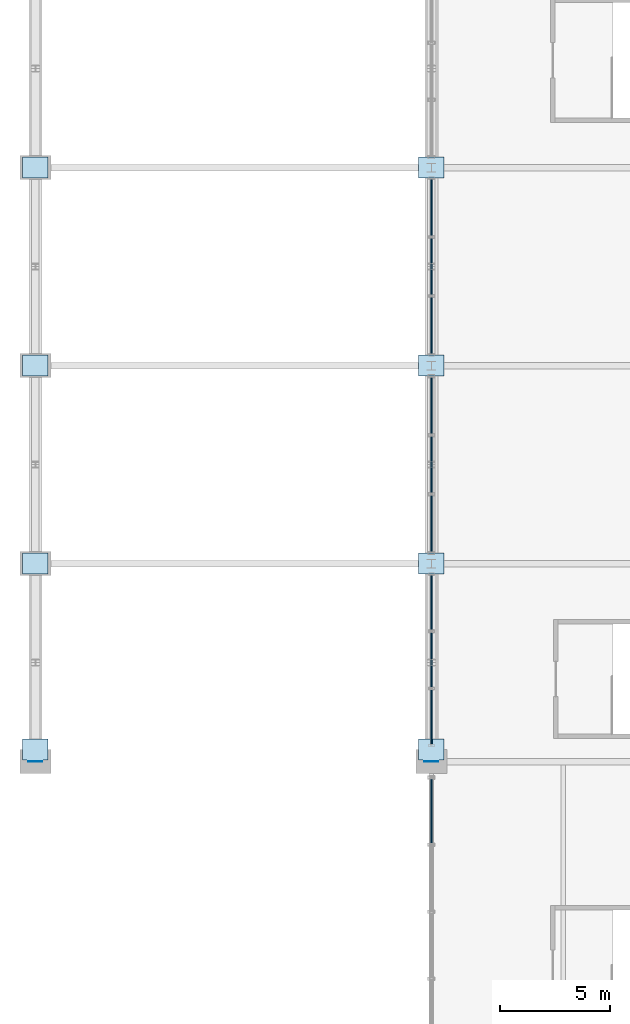
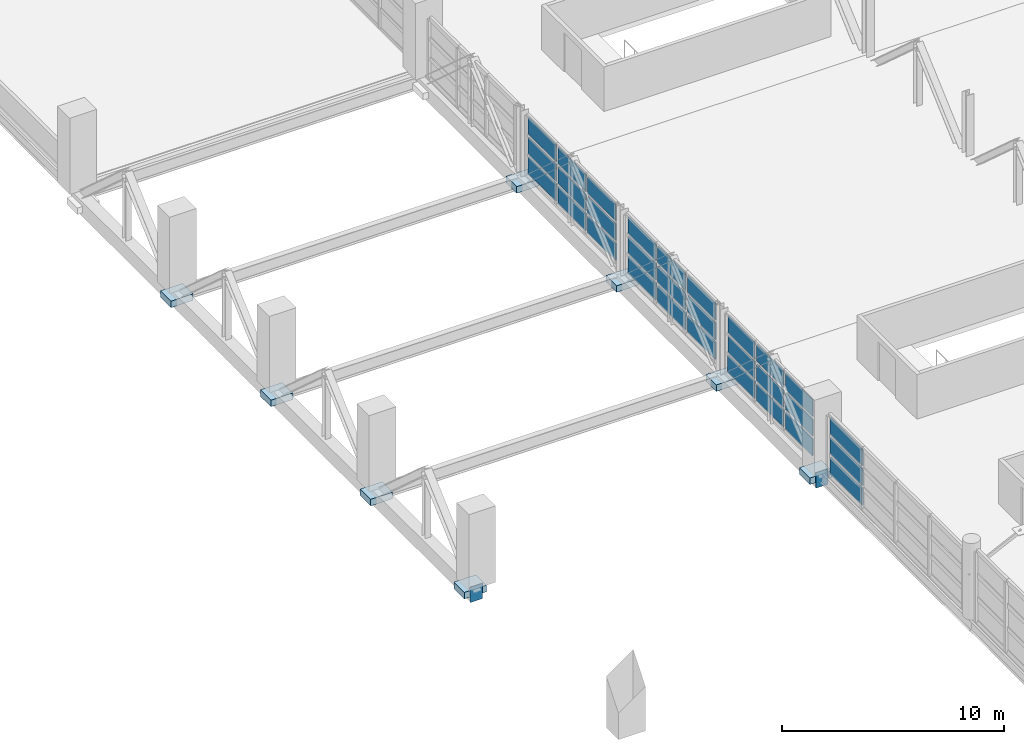
# One storey, part 101 of 136: 40 plates, 4 elements without a shape of their own.
"""IFC4 building model written with IfcOpenShell, lengths in metres."""

from ifc_helpers import new_model, si_unit, direction, frame, origin, origin_2d, place, context, subcontext, project, spatial, rectangle, extrude, material, layer, layer_set, type_object, element, aggregate, save


model = new_model("IFC4")

# Units and contexts
model_context = context("Model", 3, precision=1e-05, world=origin(), true_north=direction((0.0, 1.0)))
body_context = subcontext(model_context, "Body", "Model", "MODEL_VIEW")
ifc_project = project(units=[si_unit("LENGTHUNIT", "METRE"), si_unit("AREAUNIT", "SQUARE_METRE"), si_unit("VOLUMEUNIT", "CUBIC_METRE"), si_unit("PLANEANGLEUNIT", "RADIAN"), si_unit("MASSUNIT", "GRAM", prefix="KILO")], contexts=[model_context])

# Site, building, storey
site_placement = place(None, origin())
site = spatial("IfcSite", under=ifc_project, at=site_placement, CompositionType="ELEMENT")
building_placement = place(site_placement, origin())
building = spatial("IfcBuilding", under=site, at=building_placement, Name="Chuanluo Vaults Station", CompositionType="ELEMENT")
storey_placement = place(building_placement, frame((0.0, 0.0, 6.60009765625)))
storey = spatial("IfcBuildingStorey", under=building, at=storey_placement, Name="L01", CompositionType="ELEMENT", Elevation=6.60009765625)

# Curtain wall, plate
ifc_material_1 = material(Name="Anodised aluminium 6063-T6", Category="aluminium")
curtain_wall_type_1 = type_object("IfcCurtainWallType", Name="CW-SYS-21", PredefinedType="NOTDEFINED", material=ifc_material_1)
curtain_wall_1_placement = place(storey_placement, origin())
curtain_wall_1 = element("IfcCurtainWall", 1, at=curtain_wall_1_placement, inside=storey, type_object=curtain_wall_type_1, Name="Over-track west hall CW 54", PredefinedType="NOTDEFINED")
ifc_material_2 = material(Name="Ceramic-fritted spandrel glass", Category="glass")
ifc_layer_1 = layer(ifc_material_2, 0.06396484375)
ifc_layer_set_1 = layer_set([ifc_layer_1], Name="Ceramic-fritted spandrel glass")
plate_type_1 = type_object("IfcPlateType", Name="CWP-SPN-42", PredefinedType="SHEET", material=ifc_layer_set_1)
plate_1_placement = place(storey_placement, frame((18.0, 65.25, 0.079833984375), z_axis=(0.0, 0.0, 1.0), x_axis=(0.0, 1.0, 0.0)))
plate_1 = element("IfcPlate", 2, at=plate_1_placement, type_object=plate_type_1, Name="Over-track west hall CW 54 glazed panel 4.1", PredefinedType="SHEET", context=body_context, shape_type="SweptSolid", body=[
    extrude(rectangle(XDim=2.889892578125, YDim=0.06396484375, at=origin_2d()), origin(), (0.0, 0.0, 1.0), 0.92333984375),
])

# Curtain wall, plates
ifc_material_3 = material(Name="Anodised aluminium 6063-T6", Category="aluminium")
curtain_wall_type_2 = type_object("IfcCurtainWallType", Name="CW-SYS-23", PredefinedType="NOTDEFINED", material=ifc_material_3)
curtain_wall_2_placement = place(storey_placement, origin())
curtain_wall_2 = element("IfcCurtainWall", 3, at=curtain_wall_2_placement, inside=storey, type_object=curtain_wall_type_2, Name="Over-track west hall CW 67", PredefinedType="NOTDEFINED")
plate_2_placement = place(storey_placement, frame((18.0, 69.52490234375, 0.079833984375), z_axis=(0.0, 0.0, 1.0), x_axis=(0.0, 1.0, 0.0)))
plate_2 = element("IfcPlate", 4, at=plate_2_placement, type_object=plate_type_1, Name="Over-track west hall CW 67 glazed panel 1.1", PredefinedType="SHEET", context=body_context, shape_type="SweptSolid", body=[
    extrude(rectangle(XDim=2.43994140625, YDim=0.06396484375, at=origin_2d()), origin(), (0.0, 0.0, 1.0), 0.92333984375),
])
plate_3_placement = place(storey_placement, frame((18.0, 72.125, 0.079833984375), z_axis=(0.0, 0.0, 1.0), x_axis=(0.0, 1.0, 0.0)))
plate_3 = element("IfcPlate", 5, at=plate_3_placement, type_object=plate_type_1, Name="Over-track west hall CW 67 glazed panel 2.1", PredefinedType="SHEET", context=body_context, shape_type="SweptSolid", body=[
    extrude(rectangle(XDim=2.43994140625, YDim=0.06396484375, at=origin_2d()), origin(), (0.0, 0.0, 1.0), 0.92333984375),
])
plate_4_placement = place(storey_placement, frame((18.0, 74.72509765625, 0.079833984375), z_axis=(0.0, 0.0, 1.0), x_axis=(0.0, 1.0, 0.0)))
plate_4 = element("IfcPlate", 6, at=plate_4_placement, type_object=plate_type_1, Name="Over-track west hall CW 67 glazed panel 3.1", PredefinedType="SHEET", context=body_context, shape_type="SweptSolid", body=[
    extrude(rectangle(XDim=2.43994140625, YDim=0.06396484375, at=origin_2d()), origin(), (0.0, 0.0, 1.0), 0.92333984375),
])

ifc_material_4 = material(Name="Anodised aluminium 6063-T6", Category="aluminium")
curtain_wall_type_3 = type_object("IfcCurtainWallType", Name="CW-SYS-25", PredefinedType="NOTDEFINED", material=ifc_material_4)
curtain_wall_3_placement = place(storey_placement, origin())
curtain_wall_3 = element("IfcCurtainWall", 7, at=curtain_wall_3_placement, inside=storey, type_object=curtain_wall_type_3, Name="Over-track west hall CW 76", PredefinedType="NOTDEFINED")
plate_5_placement = place(storey_placement, frame((18.0, 78.316650390625, 0.079833984375), z_axis=(0.0, 0.0, 1.0), x_axis=(0.0, 1.0, 0.0)))
plate_5 = element("IfcPlate", 8, at=plate_5_placement, type_object=plate_type_1, Name="Over-track west hall CW 76 glazed panel 1.1", PredefinedType="SHEET", context=body_context, shape_type="SweptSolid", body=[
    extrude(rectangle(XDim=2.523193359375, YDim=0.06396484375, at=origin_2d()), origin(), (0.0, 0.0, 1.0), 0.92333984375),
])
plate_6_placement = place(storey_placement, frame((18.0, 81.0, 0.079833984375), z_axis=(0.0, 0.0, 1.0), x_axis=(0.0, 1.0, 0.0)))
plate_6 = element("IfcPlate", 9, at=plate_6_placement, type_object=plate_type_1, Name="Over-track west hall CW 76 glazed panel 2.1", PredefinedType="SHEET", context=body_context, shape_type="SweptSolid", body=[
    extrude(rectangle(XDim=2.523193359375, YDim=0.06396484375, at=origin_2d()), origin(), (0.0, 0.0, 1.0), 0.92333984375),
])
plate_7_placement = place(storey_placement, frame((18.0, 83.683349609375, 0.079833984375), z_axis=(0.0, 0.0, 1.0), x_axis=(0.0, 1.0, 0.0)))
plate_7 = element("IfcPlate", 10, at=plate_7_placement, type_object=plate_type_1, Name="Over-track west hall CW 76 glazed panel 3.1", PredefinedType="SHEET", context=body_context, shape_type="SweptSolid", body=[
    extrude(rectangle(XDim=2.523193359375, YDim=0.06396484375, at=origin_2d()), origin(), (0.0, 0.0, 1.0), 0.92333984375),
])

ifc_material_5 = material(Name="Anodised aluminium 6063-T6", Category="aluminium")
curtain_wall_type_4 = type_object("IfcCurtainWallType", Name="CW-SYS-27", PredefinedType="NOTDEFINED", material=ifc_material_5)
curtain_wall_4_placement = place(storey_placement, origin())
curtain_wall_4 = element("IfcCurtainWall", 11, at=curtain_wall_4_placement, inside=storey, type_object=curtain_wall_type_4, Name="Over-track west hall CW 85", PredefinedType="NOTDEFINED")
plate_8_placement = place(storey_placement, frame((18.0, 87.316650390625, 0.079833984375), z_axis=(0.0, 0.0, 1.0), x_axis=(0.0, 1.0, 0.0)))
plate_8 = element("IfcPlate", 12, at=plate_8_placement, type_object=plate_type_1, Name="Over-track west hall CW 85 glazed panel 1.1", PredefinedType="SHEET", context=body_context, shape_type="SweptSolid", body=[
    extrude(rectangle(XDim=2.523193359375, YDim=0.06396484375, at=origin_2d()), origin(), (0.0, 0.0, 1.0), 0.92333984375),
])
plate_9_placement = place(storey_placement, frame((18.0, 90.0, 0.079833984375), z_axis=(0.0, 0.0, 1.0), x_axis=(0.0, 1.0, 0.0)))
plate_9 = element("IfcPlate", 13, at=plate_9_placement, type_object=plate_type_1, Name="Over-track west hall CW 85 glazed panel 2.1", PredefinedType="SHEET", context=body_context, shape_type="SweptSolid", body=[
    extrude(rectangle(XDim=2.523193359375, YDim=0.06396484375, at=origin_2d()), origin(), (0.0, 0.0, 1.0), 0.92333984375),
])
plate_10_placement = place(storey_placement, frame((18.0, 92.683349609375, 0.079833984375), z_axis=(0.0, 0.0, 1.0), x_axis=(0.0, 1.0, 0.0)))
plate_10 = element("IfcPlate", 14, at=plate_10_placement, type_object=plate_type_1, Name="Over-track west hall CW 85 glazed panel 3.1", PredefinedType="SHEET", context=body_context, shape_type="SweptSolid", body=[
    extrude(rectangle(XDim=2.523193359375, YDim=0.06396484375, at=origin_2d()), origin(), (0.0, 0.0, 1.0), 0.92333984375),
])

# Plate
ifc_material_6 = material(Name="Double-silver Low-E laminated glass", Category="glass")
ifc_layer_2 = layer(ifc_material_6, 0.048095703125)
ifc_layer_set_2 = layer_set([ifc_layer_2], Name="Double-silver Low-E laminated glass")
plate_type_2 = type_object("IfcPlateType", Name="CWP-VIS-32", PredefinedType="CURTAIN_PANEL", material=ifc_layer_set_2)
plate_11_placement = place(storey_placement, frame((18.0, 69.52490234375, 1.163330078125), z_axis=(0.0, 0.0, 1.0), x_axis=(0.0, 1.0, 0.0)))
plate_11 = element("IfcPlate", 15, at=plate_11_placement, type_object=plate_type_2, Name="Over-track west hall CW 67 glazed panel 1.2", PredefinedType="CURTAIN_PANEL", context=body_context, shape_type="SweptSolid", body=[
    extrude(rectangle(XDim=2.43994140625, YDim=0.048095703125, at=origin_2d()), origin(), (0.0, 0.0, 1.0), 0.92333984375),
])

plate_12_placement = place(storey_placement, frame((18.0, 69.52490234375, 2.24658203125), z_axis=(0.0, 0.0, 1.0), x_axis=(0.0, 1.0, 0.0)))
plate_12 = element("IfcPlate", 16, at=plate_12_placement, type_object=plate_type_2, Name="Over-track west hall CW 67 glazed panel 1.3", PredefinedType="CURTAIN_PANEL", context=body_context, shape_type="SweptSolid", body=[
    extrude(rectangle(XDim=2.43994140625, YDim=0.048095703125, at=origin_2d()), origin(), (0.0, 0.0, 1.0), 0.92333984375),
])

plate_13_placement = place(storey_placement, frame((18.0, 72.125, 1.163330078125), z_axis=(0.0, 0.0, 1.0), x_axis=(0.0, 1.0, 0.0)))
plate_13 = element("IfcPlate", 17, at=plate_13_placement, type_object=plate_type_2, Name="Over-track west hall CW 67 glazed panel 2.2", PredefinedType="CURTAIN_PANEL", context=body_context, shape_type="SweptSolid", body=[
    extrude(rectangle(XDim=2.43994140625, YDim=0.048095703125, at=origin_2d()), origin(), (0.0, 0.0, 1.0), 0.92333984375),
])

plate_14_placement = place(storey_placement, frame((18.0, 72.125, 2.24658203125), z_axis=(0.0, 0.0, 1.0), x_axis=(0.0, 1.0, 0.0)))
plate_14 = element("IfcPlate", 18, at=plate_14_placement, type_object=plate_type_2, Name="Over-track west hall CW 67 glazed panel 2.3", PredefinedType="CURTAIN_PANEL", context=body_context, shape_type="SweptSolid", body=[
    extrude(rectangle(XDim=2.43994140625, YDim=0.048095703125, at=origin_2d()), origin(), (0.0, 0.0, 1.0), 0.92333984375),
])

plate_15_placement = place(storey_placement, frame((18.0, 74.72509765625, 1.163330078125), z_axis=(0.0, 0.0, 1.0), x_axis=(0.0, 1.0, 0.0)))
plate_15 = element("IfcPlate", 19, at=plate_15_placement, type_object=plate_type_2, Name="Over-track west hall CW 67 glazed panel 3.2", PredefinedType="CURTAIN_PANEL", context=body_context, shape_type="SweptSolid", body=[
    extrude(rectangle(XDim=2.43994140625, YDim=0.048095703125, at=origin_2d()), origin(), (0.0, 0.0, 1.0), 0.92333984375),
])

plate_16_placement = place(storey_placement, frame((18.0, 74.72509765625, 2.24658203125), z_axis=(0.0, 0.0, 1.0), x_axis=(0.0, 1.0, 0.0)))
plate_16 = element("IfcPlate", 20, at=plate_16_placement, type_object=plate_type_2, Name="Over-track west hall CW 67 glazed panel 3.3", PredefinedType="CURTAIN_PANEL", context=body_context, shape_type="SweptSolid", body=[
    extrude(rectangle(XDim=2.43994140625, YDim=0.048095703125, at=origin_2d()), origin(), (0.0, 0.0, 1.0), 0.92333984375),
])

aggregate(curtain_wall_2, [plate_2, plate_11, plate_12, plate_3, plate_13, plate_14, plate_4, plate_15, plate_16])

plate_17_placement = place(storey_placement, frame((18.0, 87.316650390625, 1.163330078125), z_axis=(0.0, 0.0, 1.0), x_axis=(0.0, 1.0, 0.0)))
plate_17 = element("IfcPlate", 21, at=plate_17_placement, type_object=plate_type_2, Name="Over-track west hall CW 85 glazed panel 1.2", PredefinedType="CURTAIN_PANEL", context=body_context, shape_type="SweptSolid", body=[
    extrude(rectangle(XDim=2.523193359375, YDim=0.048095703125, at=origin_2d()), origin(), (0.0, 0.0, 1.0), 0.92333984375),
])

plate_18_placement = place(storey_placement, frame((18.0, 87.316650390625, 2.24658203125), z_axis=(0.0, 0.0, 1.0), x_axis=(0.0, 1.0, 0.0)))
plate_18 = element("IfcPlate", 22, at=plate_18_placement, type_object=plate_type_2, Name="Over-track west hall CW 85 glazed panel 1.3", PredefinedType="CURTAIN_PANEL", context=body_context, shape_type="SweptSolid", body=[
    extrude(rectangle(XDim=2.523193359375, YDim=0.048095703125, at=origin_2d()), origin(), (0.0, 0.0, 1.0), 0.92333984375),
])

plate_19_placement = place(storey_placement, frame((18.0, 90.0, 1.163330078125), z_axis=(0.0, 0.0, 1.0), x_axis=(0.0, 1.0, 0.0)))
plate_19 = element("IfcPlate", 23, at=plate_19_placement, type_object=plate_type_2, Name="Over-track west hall CW 85 glazed panel 2.2", PredefinedType="CURTAIN_PANEL", context=body_context, shape_type="SweptSolid", body=[
    extrude(rectangle(XDim=2.523193359375, YDim=0.048095703125, at=origin_2d()), origin(), (0.0, 0.0, 1.0), 0.92333984375),
])

plate_20_placement = place(storey_placement, frame((18.0, 90.0, 2.24658203125), z_axis=(0.0, 0.0, 1.0), x_axis=(0.0, 1.0, 0.0)))
plate_20 = element("IfcPlate", 24, at=plate_20_placement, type_object=plate_type_2, Name="Over-track west hall CW 85 glazed panel 2.3", PredefinedType="CURTAIN_PANEL", context=body_context, shape_type="SweptSolid", body=[
    extrude(rectangle(XDim=2.523193359375, YDim=0.048095703125, at=origin_2d()), origin(), (0.0, 0.0, 1.0), 0.92333984375),
])

plate_21_placement = place(storey_placement, frame((18.0, 92.683349609375, 1.163330078125), z_axis=(0.0, 0.0, 1.0), x_axis=(0.0, 1.0, 0.0)))
plate_21 = element("IfcPlate", 25, at=plate_21_placement, type_object=plate_type_2, Name="Over-track west hall CW 85 glazed panel 3.2", PredefinedType="CURTAIN_PANEL", context=body_context, shape_type="SweptSolid", body=[
    extrude(rectangle(XDim=2.523193359375, YDim=0.048095703125, at=origin_2d()), origin(), (0.0, 0.0, 1.0), 0.92333984375),
])

plate_22_placement = place(storey_placement, frame((18.0, 92.683349609375, 2.24658203125), z_axis=(0.0, 0.0, 1.0), x_axis=(0.0, 1.0, 0.0)))
plate_22 = element("IfcPlate", 26, at=plate_22_placement, type_object=plate_type_2, Name="Over-track west hall CW 85 glazed panel 3.3", PredefinedType="CURTAIN_PANEL", context=body_context, shape_type="SweptSolid", body=[
    extrude(rectangle(XDim=2.523193359375, YDim=0.048095703125, at=origin_2d()), origin(), (0.0, 0.0, 1.0), 0.92333984375),
])

aggregate(curtain_wall_4, [plate_8, plate_17, plate_18, plate_9, plate_19, plate_20, plate_10, plate_21, plate_22])

ifc_material_7 = material(Name="Double-silver Low-E laminated glass", Category="glass")
ifc_layer_3 = layer(ifc_material_7, 0.05810546875)
ifc_layer_set_3 = layer_set([ifc_layer_3], Name="Double-silver Low-E laminated glass")
plate_type_3 = type_object("IfcPlateType", Name="CWP-VIS-38", PredefinedType="CURTAIN_PANEL", material=ifc_layer_set_3)
plate_23_placement = place(storey_placement, frame((18.0, 65.25, 1.163330078125), z_axis=(0.0, 0.0, 1.0), x_axis=(0.0, 1.0, 0.0)))
plate_23 = element("IfcPlate", 27, at=plate_23_placement, type_object=plate_type_3, Name="Over-track west hall CW 54 glazed panel 4.2", PredefinedType="CURTAIN_PANEL", context=body_context, shape_type="SweptSolid", body=[
    extrude(rectangle(XDim=2.889892578125, YDim=0.05810546875, at=origin_2d()), origin(), (0.0, 0.0, 1.0), 0.92333984375),
])

plate_24_placement = place(storey_placement, frame((18.0, 65.25, 2.24658203125), z_axis=(0.0, 0.0, 1.0), x_axis=(0.0, 1.0, 0.0)))
plate_24 = element("IfcPlate", 28, at=plate_24_placement, type_object=plate_type_3, Name="Over-track west hall CW 54 glazed panel 4.3", PredefinedType="CURTAIN_PANEL", context=body_context, shape_type="SweptSolid", body=[
    extrude(rectangle(XDim=2.889892578125, YDim=0.05810546875, at=origin_2d()), origin(), (0.0, 0.0, 1.0), 0.92333984375),
])

aggregate(curtain_wall_1, [plate_1, plate_23, plate_24])

plate_25_placement = place(storey_placement, frame((18.0, 78.316650390625, 1.163330078125), z_axis=(0.0, 0.0, 1.0), x_axis=(0.0, 1.0, 0.0)))
plate_25 = element("IfcPlate", 29, at=plate_25_placement, type_object=plate_type_3, Name="Over-track west hall CW 76 glazed panel 1.2", PredefinedType="CURTAIN_PANEL", context=body_context, shape_type="SweptSolid", body=[
    extrude(rectangle(XDim=2.523193359375, YDim=0.05810546875, at=origin_2d()), origin(), (0.0, 0.0, 1.0), 0.92333984375),
])

plate_26_placement = place(storey_placement, frame((18.0, 78.316650390625, 2.24658203125), z_axis=(0.0, 0.0, 1.0), x_axis=(0.0, 1.0, 0.0)))
plate_26 = element("IfcPlate", 30, at=plate_26_placement, type_object=plate_type_3, Name="Over-track west hall CW 76 glazed panel 1.3", PredefinedType="CURTAIN_PANEL", context=body_context, shape_type="SweptSolid", body=[
    extrude(rectangle(XDim=2.523193359375, YDim=0.05810546875, at=origin_2d()), origin(), (0.0, 0.0, 1.0), 0.92333984375),
])

plate_27_placement = place(storey_placement, frame((18.0, 81.0, 1.163330078125), z_axis=(0.0, 0.0, 1.0), x_axis=(0.0, 1.0, 0.0)))
plate_27 = element("IfcPlate", 31, at=plate_27_placement, type_object=plate_type_3, Name="Over-track west hall CW 76 glazed panel 2.2", PredefinedType="CURTAIN_PANEL", context=body_context, shape_type="SweptSolid", body=[
    extrude(rectangle(XDim=2.523193359375, YDim=0.05810546875, at=origin_2d()), origin(), (0.0, 0.0, 1.0), 0.92333984375),
])

plate_28_placement = place(storey_placement, frame((18.0, 81.0, 2.24658203125), z_axis=(0.0, 0.0, 1.0), x_axis=(0.0, 1.0, 0.0)))
plate_28 = element("IfcPlate", 32, at=plate_28_placement, type_object=plate_type_3, Name="Over-track west hall CW 76 glazed panel 2.3", PredefinedType="CURTAIN_PANEL", context=body_context, shape_type="SweptSolid", body=[
    extrude(rectangle(XDim=2.523193359375, YDim=0.05810546875, at=origin_2d()), origin(), (0.0, 0.0, 1.0), 0.92333984375),
])

plate_29_placement = place(storey_placement, frame((18.0, 83.683349609375, 1.163330078125), z_axis=(0.0, 0.0, 1.0), x_axis=(0.0, 1.0, 0.0)))
plate_29 = element("IfcPlate", 33, at=plate_29_placement, type_object=plate_type_3, Name="Over-track west hall CW 76 glazed panel 3.2", PredefinedType="CURTAIN_PANEL", context=body_context, shape_type="SweptSolid", body=[
    extrude(rectangle(XDim=2.523193359375, YDim=0.05810546875, at=origin_2d()), origin(), (0.0, 0.0, 1.0), 0.92333984375),
])

plate_30_placement = place(storey_placement, frame((18.0, 83.683349609375, 2.24658203125), z_axis=(0.0, 0.0, 1.0), x_axis=(0.0, 1.0, 0.0)))
plate_30 = element("IfcPlate", 34, at=plate_30_placement, type_object=plate_type_3, Name="Over-track west hall CW 76 glazed panel 3.3", PredefinedType="CURTAIN_PANEL", context=body_context, shape_type="SweptSolid", body=[
    extrude(rectangle(XDim=2.523193359375, YDim=0.05810546875, at=origin_2d()), origin(), (0.0, 0.0, 1.0), 0.92333984375),
])

aggregate(curtain_wall_3, [plate_5, plate_25, plate_26, plate_6, plate_27, plate_28, plate_7, plate_29, plate_30])

# Plates
ifc_material_8 = material(Name="Steel Q390C", Category="steel")
ifc_layer_4 = layer(ifc_material_8, 0.0400390625)
ifc_layer_set_4 = layer_set([ifc_layer_4], Name="Steel Q390C")
plate_type_4 = type_object("IfcPlateType", Name="PLT-BASE-40", PredefinedType="USERDEFINED", material=ifc_layer_set_4)
for number, where, z_axis, x_axis, name in (
    (35, (0.0, 94.5, -0.8603515625), (0.0, 0.0, 1.0), (1.0, 0.0, 0.0), "Structural steel node diaphragm 0004"),
    (36, (18.0, 94.5, -0.8603515625), (0.0, 0.0, 1.0), (1.0, 0.0, 0.0), "Structural steel node diaphragm 0009"),
):
    element("IfcPlate", number, at=place(storey_placement, frame(where, z_axis=z_axis, x_axis=x_axis)), inside=storey, type_object=plate_type_4, Name=name, ObjectType="BASE_PLATE", PredefinedType="USERDEFINED", context=body_context, shape_type="SweptSolid", body=[
        extrude(rectangle(XDim=1.14990234375, YDim=0.949951171875, at=origin_2d()), origin(), (0.0, 0.0, 1.0), 0.360107421875),
    ])
ifc_material_9 = material(Name="Steel Q390C", Category="steel")
ifc_layer_5 = layer(ifc_material_9, 0.02587890625)
ifc_layer_set_5 = layer_set([ifc_layer_5], Name="Steel Q390C")
plate_type_5 = type_object("IfcPlateType", Name="PLT-CAP-26", PredefinedType="USERDEFINED", material=ifc_layer_set_5)
for number, where, z_axis, x_axis, name in (
    (37, (0.0, 67.5, -1.10009765625), (0.0, 0.0, 1.0), (1.0, 0.0, 0.0), "Truss TT-1 bottom chord end cap S"),
    (38, (18.0, 67.5, -1.10009765625), (0.0, 0.0, 1.0), (1.0, 0.0, 0.0), "Truss TT-2 bottom chord end cap S"),
):
    element("IfcPlate", number, at=place(storey_placement, frame(where, z_axis=z_axis, x_axis=x_axis)), inside=storey, type_object=plate_type_5, Name=name, ObjectType="COVER_PLATE", PredefinedType="USERDEFINED", context=body_context, shape_type="SweptSolid", body=[
        extrude(rectangle(XDim=0.639892578125, YDim=0.02587890625, at=origin_2d()), origin(), (0.0, 0.0, 1.0), 0.840087890625),
    ])
ifc_material_10 = material(Name="Steel Q355C", Category="steel")
ifc_layer_6 = layer(ifc_material_10, 0.02001953125)
ifc_layer_set_6 = layer_set([ifc_layer_6], Name="Steel Q355C")
plate_type_6 = type_object("IfcPlateType", Name="PLT-GUS-20", PredefinedType="USERDEFINED", material=ifc_layer_set_6)
for number, where, z_axis, x_axis, name in (
    (39, (0.0, 76.5, -0.8603515625), (0.0, 0.0, 1.0), (1.0, 0.0, 0.0), "Structural steel node diaphragm 0002"),
    (40, (18.0, 76.5, -0.8603515625), (0.0, 0.0, 1.0), (1.0, 0.0, 0.0), "Structural steel node diaphragm 0007"),
):
    element("IfcPlate", number, at=place(storey_placement, frame(where, z_axis=z_axis, x_axis=x_axis)), inside=storey, type_object=plate_type_6, Name=name, ObjectType="STIFFENER_PLATE", PredefinedType="USERDEFINED", context=body_context, shape_type="SweptSolid", body=[
        extrude(rectangle(XDim=1.14990234375, YDim=0.949951171875, at=origin_2d()), origin(), (0.0, 0.0, 1.0), 0.360107421875),
    ])
ifc_material_11 = material(Name="Steel Q390C", Category="steel")
ifc_layer_7 = layer(ifc_material_11, 0.028076171875)
ifc_layer_set_7 = layer_set([ifc_layer_7], Name="Steel Q390C")
plate_type_7 = type_object("IfcPlateType", Name="PLT-GUS-28", PredefinedType="USERDEFINED", material=ifc_layer_set_7)
for number, where, z_axis, x_axis, name in (
    (41, (0.0, 68.050048828125, -0.8603515625), (0.0, 0.0, 1.0), (1.0, 0.0, 0.0), "Structural steel node diaphragm 0001"),
    (42, (18.0, 68.050048828125, -0.8603515625), (0.0, 0.0, 1.0), (1.0, 0.0, 0.0), "Structural steel node diaphragm 0006"),
):
    element("IfcPlate", number, at=place(storey_placement, frame(where, z_axis=z_axis, x_axis=x_axis)), inside=storey, type_object=plate_type_7, Name=name, ObjectType="GUSSET_PLATE", PredefinedType="USERDEFINED", context=body_context, shape_type="SweptSolid", body=[
        extrude(rectangle(XDim=1.14990234375, YDim=0.949951171875, at=origin_2d()), origin(), (0.0, 0.0, 1.0), 0.360107421875),
    ])
ifc_material_12 = material(Name="Steel Q355C", Category="steel")
ifc_layer_8 = layer(ifc_material_12, 0.02197265625)
ifc_layer_set_8 = layer_set([ifc_layer_8], Name="Steel Q355C")
plate_type_8 = type_object("IfcPlateType", Name="PLT-SPL-22", PredefinedType="USERDEFINED", material=ifc_layer_set_8)
for number, where, z_axis, x_axis, name in (
    (43, (0.0, 85.5, -0.8603515625), (0.0, 0.0, 1.0), (1.0, 0.0, 0.0), "Structural steel node diaphragm 0003"),
    (44, (18.0, 85.5, -0.8603515625), (0.0, 0.0, 1.0), (1.0, 0.0, 0.0), "Structural steel node diaphragm 0008"),
):
    element("IfcPlate", number, at=place(storey_placement, frame(where, z_axis=z_axis, x_axis=x_axis)), inside=storey, type_object=plate_type_8, Name=name, ObjectType="SPLICE_PLATE", PredefinedType="USERDEFINED", context=body_context, shape_type="SweptSolid", body=[
        extrude(rectangle(XDim=1.14990234375, YDim=0.949951171875, at=origin_2d()), origin(), (0.0, 0.0, 1.0), 0.360107421875),
    ])

save(model, "model.ifc")
